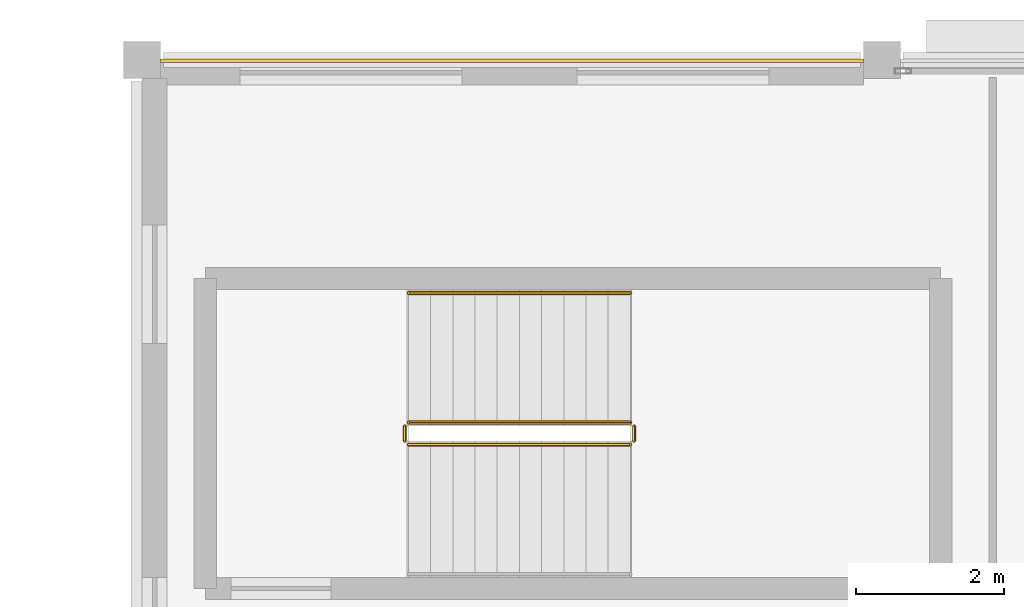
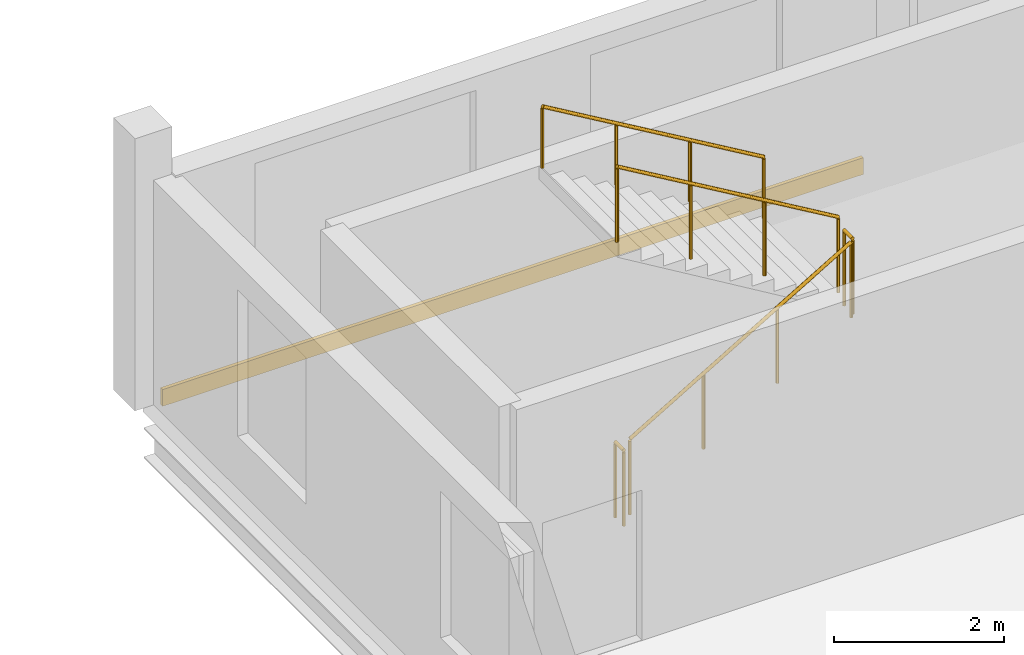
# One storey, part 106 of 110: 5 railings, 1 covering.
"""IFC4 building model written with IfcOpenShell, lengths in metres."""

from ifc_helpers import new_model, si_unit, direction, frame, origin, origin_2d, place, context, subcontext, project, spatial, rectangle, circle, extrude, material, layer, layer_set, type_object, element, save


model = new_model("IFC4")

# Units and contexts
model_context = context("Model", 3, precision=1e-05, world=origin(), true_north=direction((0.0, 1.0)))
body_context = subcontext(model_context, "Body", "Model", "MODEL_VIEW")
ifc_project = project(units=[si_unit("LENGTHUNIT", "METRE"), si_unit("AREAUNIT", "SQUARE_METRE"), si_unit("VOLUMEUNIT", "CUBIC_METRE"), si_unit("PLANEANGLEUNIT", "RADIAN"), si_unit("MASSUNIT", "GRAM", prefix="KILO")], contexts=[model_context])

# Site, building, storey
site_placement = place(None, origin())
site = spatial("IfcSite", under=ifc_project, at=site_placement, CompositionType="ELEMENT")
building_placement = place(site_placement, origin())
building = spatial("IfcBuilding", under=site, at=building_placement, Name="Tamarisk Ironworks Central Station", CompositionType="ELEMENT")
storey_placement = place(building_placement, frame((0.0, 0.0, 17.39990234375)))
storey = spatial("IfcBuildingStorey", under=building, at=storey_placement, Name="L03", CompositionType="ELEMENT", Elevation=17.39990234375)

# Covering
ifc_material_1 = material(Name="Clay facing brickwork and mortar", Category="masonry")
ifc_layer = layer(ifc_material_1, 0.050048828125)
ifc_layer_set = layer_set([ifc_layer], Name="Clay facing brickwork and mortar")
covering_type = type_object("IfcCoveringType", Name="COV-CLAD", PredefinedType="CLADDING", material=ifc_layer_set)
covering_placement = place(storey_placement, frame((123.0, 122.389892578125, -0.23974609375), z_axis=(0.0, 0.0, 1.0), x_axis=(1.0, 0.0, 0.0)))
element("IfcCovering", 1, at=covering_placement, inside=storey, type_object=covering_type, Name="L03 terracotta slab-edge spandrel cladding 014", PredefinedType="CLADDING", context=body_context, shape_type="SweptSolid", body=[
    extrude(rectangle(XDim=9.5, YDim=0.050048828125, at=origin_2d()), origin(), (0.0, 0.0, 1.0), 0.239990234375),
])

# Railings
ifc_material_2 = material(Name="Brushed stainless steel AISI 316", Category="steel")
railing_type_1 = type_object("IfcRailingType", Name="RL-GUARD-INT", PredefinedType="BALUSTRADE", material=ifc_material_2)
railing_1_placement = place(storey_placement, frame((121.60009765625, 117.199951171875, 0.177490234375)))
element("IfcRailing", 2, at=railing_1_placement, inside=storey, type_object=railing_type_1, Name="L03 ST-C5 stair guard 1", PredefinedType="BALUSTRADE", context=body_context, shape_type="SweptSolid", body=[
    extrude(circle(Radius=0.02392578125, at=origin_2d()), frame((0.0, 0.0, 1.076171875), z_axis=(0.86092931783, 0.0, 0.508724591208), x_axis=(0.0, 1.0, 0.0)), (0.0, 0.0, 1.0), 3.484619140625),
    extrude(circle(Radius=0.02099609375, at=origin_2d()), origin(), (0.0, 0.0, 1.0), 1.052001953125),
    extrude(circle(Radius=0.02099609375, at=origin_2d()), frame((1.0, 0.0, 0.5908203125)), (0.0, 0.0, 1.0), 1.052001953125),
    extrude(circle(Radius=0.02099609375, at=origin_2d()), frame((2.0, 0.0, 1.181884765625)), (0.0, 0.0, 1.0), 1.052001953125),
    extrude(circle(Radius=0.02099609375, at=origin_2d()), frame((3.0, 0.0, 1.772705078125)), (0.0, 0.0, 1.0), 1.052001953125),
])
railing_2_placement = place(storey_placement, frame((124.64990234375, 117.25, 1.9501953125)))
element("IfcRailing", 3, at=railing_2_placement, inside=storey, type_object=railing_type_1, Name="L03 ST-C5 stair guard 2", PredefinedType="BALUSTRADE", context=body_context, shape_type="SweptSolid", body=[
    extrude(circle(Radius=0.02392578125, at=origin_2d()), frame((0.0, 0.0, 1.076171875), z_axis=(0.0, 1.0, 0.0), x_axis=(-1.0, 0.0, 0.0)), (0.0, 0.0, 1.0), 0.199951171875),
    extrude(circle(Radius=0.02099609375, at=origin_2d()), origin(), (0.0, 0.0, 1.0), 1.052001953125),
    extrude(circle(Radius=0.02099609375, at=origin_2d()), frame((0.0, 0.199951171875, 0.0)), (0.0, 0.0, 1.0), 1.052001953125),
])
railing_3_placement = place(storey_placement, frame((124.60009765625, 117.5, 2.12744140625)))
element("IfcRailing", 4, at=railing_3_placement, inside=storey, type_object=railing_type_1, Name="L03 ST-C5 stair guard 3", PredefinedType="BALUSTRADE", context=body_context, shape_type="SweptSolid", body=[
    extrude(circle(Radius=0.02392578125, at=origin_2d()), frame((0.0, 0.0, 1.076171875), z_axis=(-0.86092931783, 0.0, 0.508724591208), x_axis=(0.0, -1.0, 0.0)), (0.0, 0.0, 1.0), 3.484619140625),
    extrude(circle(Radius=0.02099609375, at=origin_2d()), origin(), (0.0, 0.0, 1.0), 1.052001953125),
    extrude(circle(Radius=0.02099609375, at=origin_2d()), frame((-1.0, 0.0, 0.5908203125)), (0.0, 0.0, 1.0), 1.052001953125),
    extrude(circle(Radius=0.02099609375, at=origin_2d()), frame((-2.0, 0.0, 1.181884765625)), (0.0, 0.0, 1.0), 1.052001953125),
    extrude(circle(Radius=0.02099609375, at=origin_2d()), frame((-3.0, 0.0, 1.772705078125)), (0.0, 0.0, 1.0), 1.052001953125),
])
railing_4_placement = place(storey_placement, frame((121.550048828125, 117.25, 0.0)))
element("IfcRailing", 5, at=railing_4_placement, inside=storey, type_object=railing_type_1, Name="L03 ST-C5 stair guard 4", PredefinedType="BALUSTRADE", context=body_context, shape_type="SweptSolid", body=[
    extrude(circle(Radius=0.02392578125, at=origin_2d()), frame((0.0, 0.0, 1.076171875), z_axis=(0.0, 1.0, 0.0), x_axis=(-1.0, 0.0, 0.0)), (0.0, 0.0, 1.0), 0.199951171875),
    extrude(circle(Radius=0.02099609375, at=origin_2d()), origin(), (0.0, 0.0, 1.0), 1.052001953125),
    extrude(circle(Radius=0.02099609375, at=origin_2d()), frame((0.0, 0.199951171875, 0.0)), (0.0, 0.0, 1.0), 1.052001953125),
])
railing_type_2 = type_object("IfcRailingType", Name="RL-HAND", PredefinedType="HANDRAIL", material=ifc_material_2)
railing_5_placement = place(storey_placement, frame((124.60009765625, 119.25, 2.12744140625)))
element("IfcRailing", 6, at=railing_5_placement, inside=storey, type_object=railing_type_2, Name="L03 ST-C5 stair handrail 2", PredefinedType="HANDRAIL", context=body_context, shape_type="SweptSolid", body=[
    extrude(circle(Radius=0.02392578125, at=origin_2d()), frame((0.0, 0.0, 0.8759765625), z_axis=(-0.86092931783, 0.0, 0.508724591208), x_axis=(0.0, -1.0, 0.0)), (0.0, 0.0, 1.0), 3.484619140625),
    extrude(circle(Radius=0.02099609375, at=origin_2d()), origin(), (0.0, 0.0, 1.0), 0.851806640625),
    extrude(circle(Radius=0.02099609375, at=origin_2d()), frame((-1.0, 0.0, 0.5908203125)), (0.0, 0.0, 1.0), 0.851806640625),
    extrude(circle(Radius=0.02099609375, at=origin_2d()), frame((-2.0, 0.0, 1.181884765625)), (0.0, 0.0, 1.0), 0.851806640625),
    extrude(circle(Radius=0.02099609375, at=origin_2d()), frame((-3.0, 0.0, 1.772705078125)), (0.0, 0.0, 1.0), 0.851806640625),
])

save(model, "model.ifc")
